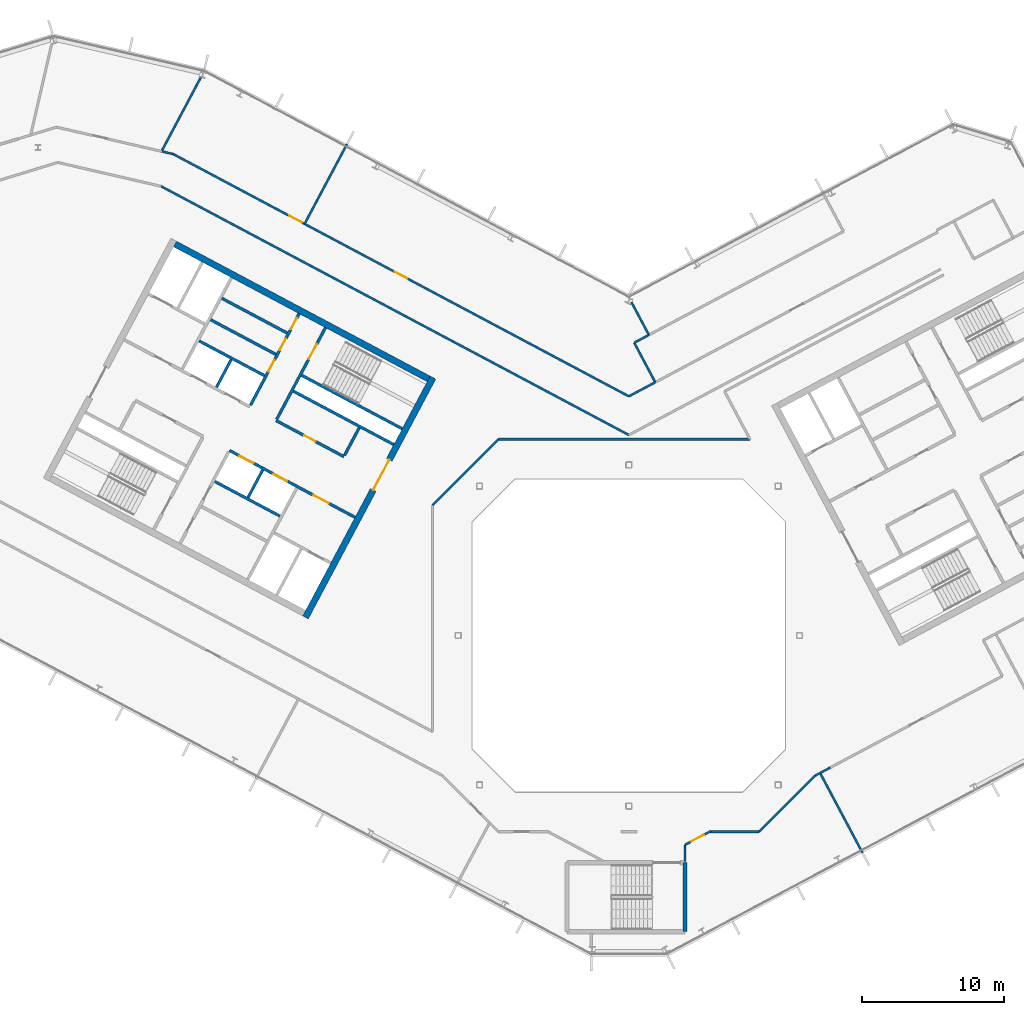
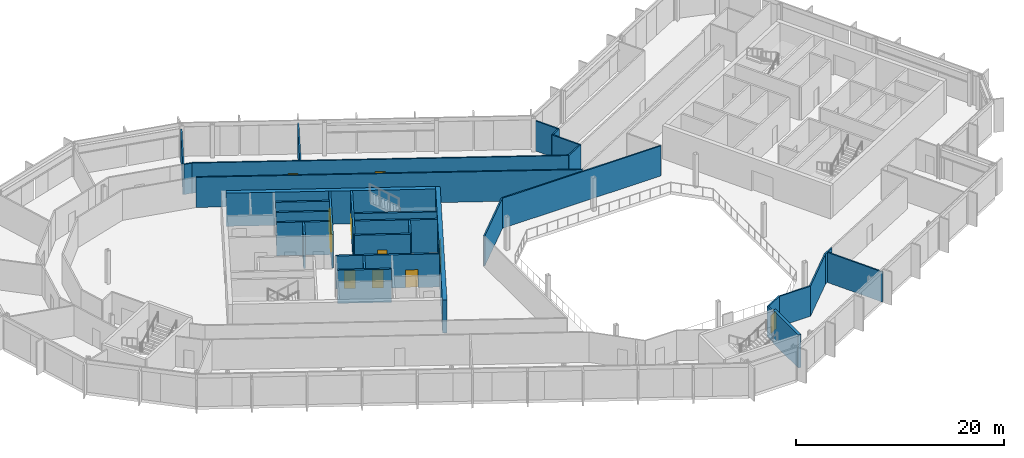
# One storey, part 14 of 25: 33 walls, 12 doors, 12 openings.
"""IFC4 building model written with IfcOpenShell, lengths in metres."""

import ifcopenshell
import ifcopenshell.guid

model = None  # the IFC model being written
_history = None  # IfcOwnerHistory: only IFC2X3 demands one
_inside = {}  # id of a spatial element -> (the spatial element, [elements in it])
_under = {}  # id of a project, library or spatial element -> (it, [spatial elements below it])
_declared = {}  # id of a project -> (the project, [libraries it declares])
_typed = {}  # id of a type object -> (the type object, [elements of that type])
_made_of = {}  # id of a material, layer set ... -> (it, [elements and type objects made of it])


def new_model(schema):
    """Start an empty IFC model of exactly this schema.

    Asked for "IFC4X3", IfcOpenShell would pick the latest addendum, in which some entities
    have other attributes; the version numbers below select the first issue.
    IFC2X3 requires an IfcOwnerHistory on every rooted entity: one is made here for all.
    """
    global model, _history
    if schema == "IFC4X3":
        model = ifcopenshell.file(schema_version=(4, 3, 0, 0))
    else:
        model = ifcopenshell.file(schema=schema)
    _inside.clear()
    _under.clear()
    _declared.clear()
    _typed.clear()
    _made_of.clear()
    _history = None
    if model.schema == "IFC2X3":
        org = make("IfcOrganization", Name="unknown")
        user = make(
            "IfcPersonAndOrganization",
            ThePerson=make("IfcPerson", FamilyName="unknown"),
            TheOrganization=org,
        )
        app = make(
            "IfcApplication",
            ApplicationDeveloper=org,
            Version="unknown",
            ApplicationFullName="unknown",
            ApplicationIdentifier="unknown",
        )
        _history = make(
            "IfcOwnerHistory",
            OwningUser=user,
            OwningApplication=app,
            ChangeAction="ADDED",
            CreationDate=0,
        )
    return model


def make(cls, **values):
    """One entity of the class cls with the attributes given. An attribute that is None is left unset."""
    return model.create_entity(
        cls, **{name: value for name, value in values.items() if value is not None}
    )


def rooted(cls, **values):
    """An entity with a GlobalId (a new one), such as an element, a storey or a relation."""
    return make(cls, GlobalId=ifcopenshell.guid.new(), OwnerHistory=_history, **values)


def si_unit(unit_type, name, prefix=None):
    """IfcSIUnit, for example si_unit("LENGTHUNIT", "METRE", prefix="MILLI")."""
    return make("IfcSIUnit", UnitType=unit_type, Prefix=prefix, Name=name)


def assignment(units):
    """IfcUnitAssignment: the units of a project."""
    return None if units is None else make("IfcUnitAssignment", Units=units)


def point(xyz):
    """IfcCartesianPoint."""
    return None if xyz is None else make("IfcCartesianPoint", Coordinates=xyz)


def direction(xyz):
    """IfcDirection."""
    return None if xyz is None else make("IfcDirection", DirectionRatios=xyz)


def frame(location, z_axis=None, x_axis=None):
    """IfcAxis2Placement3D, a coordinate frame: its origin and axes. An axis left out is left unset."""
    return make(
        "IfcAxis2Placement3D",
        Location=point(location),
        Axis=direction(z_axis),
        RefDirection=direction(x_axis),
    )


def frame_2d(location, x_axis=None):
    """IfcAxis2Placement2D, a coordinate frame in the plane: its origin and x axis."""
    return make(
        "IfcAxis2Placement2D", Location=point(location), RefDirection=direction(x_axis)
    )


def origin():
    """The frame at (0, 0, 0) with its axes left unset."""
    return frame((0.0, 0.0, 0.0))


def place(relative_to, where):
    """IfcLocalPlacement: puts the frame where relative to a parent placement (None: the world)."""
    return make(
        "IfcLocalPlacement", PlacementRelTo=relative_to, RelativePlacement=where
    )


def context(
    kind, dimensions, precision=None, world=None, true_north=None, identifier=None
):
    """IfcGeometricRepresentationContext, for example the 3D "Model" context."""
    return make(
        "IfcGeometricRepresentationContext",
        ContextIdentifier=identifier,
        ContextType=kind,
        CoordinateSpaceDimension=dimensions,
        Precision=precision,
        WorldCoordinateSystem=world,
        TrueNorth=true_north,
    )


def subcontext(parent, identifier, kind, view, scale=None):
    """IfcGeometricRepresentationSubContext, for example "Body" below "Model"."""
    return make(
        "IfcGeometricRepresentationSubContext",
        ContextIdentifier=identifier,
        ContextType=kind,
        ParentContext=parent,
        TargetScale=scale,
        TargetView=view,
    )


def project(units=None, contexts=None):
    """IfcProject with its units and contexts."""
    return rooted(
        "IfcProject",
        Name="project",
        RepresentationContexts=contexts,
        UnitsInContext=assignment(units),
    )


def spatial(cls, under=None, at=None, **own):
    """A site, building, storey or space (cls), placed at a placement, below another one or the project."""
    s = rooted(cls, ObjectPlacement=at, **own)
    if under is not None:
        _under.setdefault(under.id(), (under, []))[1].append(s)
    return s


def profile(cls, at=None, kind="AREA", **sizes):
    """A parametric profile (cls). Its sizes go by their IFC names, for example OverallWidth=200.0."""
    return make(cls, ProfileType=kind, Position=at, **sizes)


def rectangle(**sizes):
    """IfcRectangleProfileDef."""
    return profile("IfcRectangleProfileDef", **sizes)


def extrude(swept, where, along, depth):
    """IfcExtrudedAreaSolid: the profile swept, set in the frame where, extruded along a direction by depth."""
    return make(
        "IfcExtrudedAreaSolid",
        SweptArea=swept,
        Position=where,
        ExtrudedDirection=direction(along),
        Depth=depth,
    )


def shape(context_of_items, identifier, shape_type, items):
    """IfcShapeRepresentation: the items that make up one representation, for example the "Body"."""
    return make(
        "IfcShapeRepresentation",
        ContextOfItems=context_of_items,
        RepresentationIdentifier=identifier,
        RepresentationType=shape_type,
        Items=items,
    )


def material(Name=None, Category=None):
    """IfcMaterial."""
    return make("IfcMaterial", Name=Name, Category=Category)


def layer(
    of_material, thickness, ventilated=None, Name=None, Category=None, Priority=None
):
    """IfcMaterialLayer: one layer of a wall or slab, of a material (None: an air gap)."""
    return make(
        "IfcMaterialLayer",
        Material=of_material,
        LayerThickness=thickness,
        IsVentilated=ventilated,
        Name=Name,
        Category=Category,
        Priority=Priority,
    )


def layer_set(layers, Name=None):
    """IfcMaterialLayerSet."""
    return make("IfcMaterialLayerSet", MaterialLayers=layers, LayerSetName=Name)


def made_of(thing, what):
    """Note that an element or type object is made of a material, layer set ...; save() writes the relation."""
    if what is not None:
        _made_of.setdefault(what.id(), (what, []))[1].append(thing)
    return thing


def type_object(cls, material=None, **own):
    """A type object (cls), such as IfcWallType, which elements share."""
    return made_of(rooted(cls, **own), material)


def element(
    cls,
    number,
    at=None,
    inside=None,
    cuts=None,
    type_object=None,
    material=None,
    context=None,
    identifier="Body",
    shape_type=None,
    held_by="IfcProductDefinitionShape",
    body=None,
    shapes=None,
    **own,
):
    """One element of the class cls, such as IfcWall. Its Tag is "e" and its number.

    at: its placement. inside: the storey or other place that contains it. cuts: it is an
    opening in that element (IfcRelVoidsElement). A single representation is given by context,
    identifier, shape_type and body (its items); several are given by shapes. held_by: the class
    of the entity that holds the representations. save() writes the other relations.
    """
    e = rooted(cls, Tag="e%d" % number, ObjectPlacement=at, **own)
    if body is not None:
        shapes = [shape(context, identifier, shape_type, body)]
    if shapes is not None:
        e.Representation = make(held_by, Representations=shapes)
    if inside is not None:
        _inside.setdefault(inside.id(), (inside, []))[1].append(e)
    if cuts is not None:
        rooted(
            "IfcRelVoidsElement", RelatingBuildingElement=cuts, RelatedOpeningElement=e
        )
    if type_object is not None:
        _typed.setdefault(type_object.id(), (type_object, []))[1].append(e)
    return made_of(e, material)


def fill(opening, filler):
    """IfcRelFillsElement: the door or window that sits in an opening."""
    return rooted(
        "IfcRelFillsElement",
        RelatingOpeningElement=opening,
        RelatedBuildingElement=filler,
    )


def aggregate(whole, parts):
    """IfcRelAggregates: a whole, such as a stair, and the parts it consists of."""
    return rooted("IfcRelAggregates", RelatingObject=whole, RelatedObjects=parts)


def save(model, path):
    """Write the relations noted so far, then the file.

    IfcRelAggregates (storeys below a building ...), IfcRelContainedInSpatialStructure (elements
    in a storey), IfcRelDefinesByType, IfcRelAssociatesMaterial and IfcRelDeclares: one each for
    every whole, place, type object, material and project.
    """
    for whole, parts in _under.values():
        aggregate(whole, parts)
    for where, things in _inside.values():
        rooted(
            "IfcRelContainedInSpatialStructure",
            RelatedElements=things,
            RelatingStructure=where,
        )
    for kind, things in _typed.values():
        rooted("IfcRelDefinesByType", RelatedObjects=things, RelatingType=kind)
    for what, things in _made_of.values():
        rooted("IfcRelAssociatesMaterial", RelatedObjects=things, RelatingMaterial=what)
    for by, libraries in _declared.values():
        rooted("IfcRelDeclares", RelatingContext=by, RelatedDefinitions=libraries)
    model.write(path)


model = new_model("IFC4")

# Units and contexts
model_context = context("Model", 3, precision=1e-05, world=origin(), true_north=direction((0.0, 1.0)))
body_context = subcontext(model_context, "Body", "Model", "MODEL_VIEW")
ifc_project = project(units=[si_unit("LENGTHUNIT", "METRE"), si_unit("AREAUNIT", "SQUARE_METRE"), si_unit("VOLUMEUNIT", "CUBIC_METRE"), si_unit("PLANEANGLEUNIT", "RADIAN"), si_unit("MASSUNIT", "GRAM", prefix="KILO")], contexts=[model_context])

# Site, building, storey
site_placement = place(None, origin())
site = spatial("IfcSite", under=ifc_project, at=site_placement, CompositionType="ELEMENT")
building_placement = place(site_placement, origin())
building = spatial("IfcBuilding", under=site, at=building_placement, Name="Cormorant Relay Tower", CompositionType="ELEMENT")
storey_placement = place(building_placement, frame((0.0, 0.0, 289.199951171875)))
storey = spatial("IfcBuildingStorey", under=building, at=storey_placement, Name="L65", CompositionType="ELEMENT", Elevation=289.199951171875)

# Walls
ifc_material_1 = material(Name="Concrete 40 MPa", Category="concrete")
ifc_layer_1 = layer(ifc_material_1, 0.199951171875)
ifc_layer_set_1 = layer_set([ifc_layer_1], Name="Core internal wall 200")
wall_type_1 = type_object("IfcWallType", Name="Core internal wall 200", PredefinedType="SOLIDWALL", material=ifc_layer_set_1)
wall_1_placement = place(storey_placement, frame((-25.744140625, 11.64990234375, 0.0), z_axis=(0.0, 0.0, 1.0), x_axis=(-0.469487830541, -0.882938942948, 0.0)))
element("IfcWall", 1, at=wall_1_placement, inside=storey, type_object=wall_type_1, Name="L65 core A shaft and room wall", PredefinedType="SOLIDWALL", context=body_context, shape_type="SweptSolid", body=[
    extrude(rectangle(XDim=2.2001953125, YDim=0.199951171875, at=frame_2d((1.10009765625, 0.0))), origin(), (0.0, 0.0, 1.0), 3.900146484375),
])
wall_2_placement = place(storey_placement, frame((-27.9658203125, 19.39990234375, 0.0), z_axis=(0.0, 0.0, 1.0), x_axis=(-0.4694473164, -0.882960484464, 0.0)))
element("IfcWall", 2, at=wall_2_placement, inside=storey, type_object=wall_type_1, Name="L65 core A shaft and room wall", PredefinedType="SOLIDWALL", context=body_context, shape_type="SweptSolid", body=[
    extrude(rectangle(XDim=2.199951171875, YDim=0.199951171875, at=frame_2d((1.10009765625, 0.0))), origin(), (0.0, 0.0, 1.0), 3.900146484375),
])
for number, where, z_axis, x_axis, name in (
    (3, (-24.02685546875, 21.26953125, 0.0), (0.0, 0.0, 1.0), (-0.882934506056, 0.469496174655, 0.0), "L65 core A shaft and room wall"),
    (4, (-24.824951171875, 19.7685546875, 0.0), (0.0, 0.0, 1.0), (-0.882934506056, 0.469496174655, 0.0), "L65 core A shaft and room wall"),
):
    element("IfcWall", number, at=place(storey_placement, frame(where, z_axis=z_axis, x_axis=x_axis)), inside=storey, type_object=wall_type_1, Name=name, PredefinedType="SOLIDWALL", context=body_context, shape_type="SweptSolid", body=[
        extrude(rectangle(XDim=5.199951171875, YDim=0.199951171875, at=frame_2d((2.60009765625, 0.0))), origin(), (0.0, 0.0, 1.0), 3.900146484375),
    ])
ifc_material_2 = material(Name="Concrete 50 MPa", Category="concrete")
ifc_layer_2 = layer(ifc_material_2, 0.199951171875)
ifc_layer_set_2 = layer_set([ifc_layer_2], Name="Core shaft wall 200")
wall_type_2 = type_object("IfcWallType", Name="Core shaft wall 200", PredefinedType="SHEAR", material=ifc_layer_set_2)
wall_3_placement = place(storey_placement, frame((-18.959716796875, 14.611328125, 0.0), z_axis=(0.0, 0.0, 1.0), x_axis=(-0.4694473164, -0.882960484464, 0.0)))
element("IfcWall", 5, at=wall_3_placement, inside=storey, type_object=wall_type_2, Name="L65 core A shaft wall", PredefinedType="SHEAR", context=body_context, shape_type="SweptSolid", body=[
    extrude(rectangle(XDim=2.199951171875, YDim=0.199951171875, at=frame_2d((1.10009765625, 0.0))), origin(), (0.0, 0.0, 1.0), 3.900146484375),
])

# Wall, opening, door
wall_4_placement = place(storey_placement, frame((-21.333251953125, 21.6494140625, 0.0), z_axis=(0.0, 0.0, 1.0), x_axis=(-0.469494272526, -0.882935517501, 0.0)))
wall_4 = element("IfcWall", 6, at=wall_4_placement, inside=storey, type_object=wall_type_2, Name="L65 core A shaft wall", PredefinedType="SHEAR", context=body_context, shape_type="SweptSolid", body=[
    extrude(rectangle(XDim=7.2998046875, YDim=0.199951171875, at=frame_2d((3.64990234375, 0.0))), origin(), (0.0, 0.0, 1.0), 3.900146484375),
])
opening_1_placement = place(wall_4_placement, frame((1.300048828125, 0.0, 0.0)))
opening_1 = element("IfcOpeningElement", 7, at=opening_1_placement, cuts=wall_4, Name="Opening CDB-038", PredefinedType="OPENING", context=body_context, shape_type="SweptSolid", body=[
    extrude(rectangle(XDim=1.199951171875, YDim=2.10009765625, at=frame_2d((0.60009765625, 1.050048828125))), frame((0.0, 0.10986328125, 0.0), z_axis=(0.0, -1.0, 0.0), x_axis=(1.0, 0.0, 0.0)), (0.0, 0.0, 1.0), 0.219970703125),
])
ifc_material_3 = material(Name="Steel fire door", Category="steel")
door_type_1 = type_object("IfcDoorType", Name="Core stair door 1200x2100", OperationType="SINGLE_SWING_LEFT", PredefinedType="DOOR", material=ifc_material_3)
door_1_placement = place(opening_1_placement, origin())
door_1 = element("IfcDoor", 8, at=door_1_placement, inside=storey, type_object=door_type_1, Name="Core stair door 1200x2100", OperationType="SINGLE_SWING_RIGHT", OverallHeight=2.10009765625, OverallWidth=1.199951171875, PredefinedType="DOOR", context=body_context, shape_type="SweptSolid", body=[
    extrude(rectangle(XDim=1.199951171875, YDim=2.10009765625, at=frame_2d((0.60009765625, 1.050048828125))), frame((0.0, 0.02490234375, 0.0), z_axis=(0.0, -1.0, 0.0), x_axis=(1.0, 0.0, 0.0)), (0.0, 0.0, 1.0), 0.050048828125),
])
fill(opening_1, door_1)

# Wall, openings, doors
wall_5_placement = place(storey_placement, frame((-23.1875, 22.635498046875, 0.0), z_axis=(0.0, 0.0, 1.0), x_axis=(-0.469454336211, -0.882956752176, 0.0)))
wall_5 = element("IfcWall", 9, at=wall_5_placement, inside=storey, type_object=wall_type_2, Name="L65 core A shaft wall", PredefinedType="SHEAR", context=body_context, shape_type="SweptSolid", body=[
    extrude(rectangle(XDim=7.300048828125, YDim=0.199951171875, at=frame_2d((3.64990234375, 0.0))), origin(), (0.0, 0.0, 1.0), 3.900146484375),
])
opening_2_placement = place(wall_5_placement, frame((0.35009765625, 0.0, 0.0)))
opening_2 = element("IfcOpeningElement", 10, at=opening_2_placement, cuts=wall_5, Name="Opening CDD-329", PredefinedType="OPENING", context=body_context, shape_type="SweptSolid", body=[
    extrude(rectangle(XDim=0.89990234375, YDim=2.10009765625, at=frame_2d((0.449951171875, 1.050048828125))), frame((0.0, 0.10986328125, 0.0), z_axis=(0.0, -1.0, 0.0), x_axis=(1.0, 0.0, 0.0)), (0.0, 0.0, 1.0), 0.219970703125),
])
opening_3_placement = place(wall_5_placement, frame((2.0, 0.0, 0.0)))
opening_3 = element("IfcOpeningElement", 11, at=opening_3_placement, cuts=wall_5, Name="Opening CDD-330", PredefinedType="OPENING", context=body_context, shape_type="SweptSolid", body=[
    extrude(rectangle(XDim=0.89990234375, YDim=2.10009765625, at=frame_2d((0.449951171875, 1.050048828125))), frame((0.0, 0.10986328125, 0.0), z_axis=(0.0, -1.0, 0.0), x_axis=(1.0, 0.0, 0.0)), (0.0, 0.0, 1.0), 0.219970703125),
])
opening_4_placement = place(wall_5_placement, frame((3.699951171875, 0.0, 0.0)))
opening_4 = element("IfcOpeningElement", 12, at=opening_4_placement, cuts=wall_5, Name="Opening CDD-331", PredefinedType="OPENING", context=body_context, shape_type="SweptSolid", body=[
    extrude(rectangle(XDim=0.89990234375, YDim=2.10009765625, at=frame_2d((0.449951171875, 1.050048828125))), frame((0.0, 0.10986328125, 0.0), z_axis=(0.0, -1.0, 0.0), x_axis=(1.0, 0.0, 0.0)), (0.0, 0.0, 1.0), 0.219970703125),
])
ifc_material_4 = material(Name="Steel fire door", Category="steel")
door_type_2 = type_object("IfcDoorType", Name="Core room door 900x2100", OperationType="SINGLE_SWING_LEFT", PredefinedType="DOOR", material=ifc_material_4)
door_2_placement = place(opening_2_placement, origin())
door_2 = element("IfcDoor", 13, at=door_2_placement, inside=storey, type_object=door_type_2, Name="Core room door 900x2100", OperationType="SINGLE_SWING_LEFT", OverallHeight=2.10009765625, OverallWidth=0.89990234375, PredefinedType="DOOR", context=body_context, shape_type="SweptSolid", body=[
    extrude(rectangle(XDim=0.89990234375, YDim=2.10009765625, at=frame_2d((0.449951171875, 1.050048828125))), frame((0.0, 0.02490234375, 0.0), z_axis=(0.0, -1.0, 0.0), x_axis=(1.0, 0.0, 0.0)), (0.0, 0.0, 1.0), 0.050048828125),
])
fill(opening_2, door_2)
door_3_placement = place(opening_3_placement, origin())
door_3 = element("IfcDoor", 14, at=door_3_placement, inside=storey, type_object=door_type_2, Name="Core room door 900x2100", OperationType="SINGLE_SWING_LEFT", OverallHeight=2.10009765625, OverallWidth=0.89990234375, PredefinedType="DOOR", context=body_context, shape_type="SweptSolid", body=[
    extrude(rectangle(XDim=0.89990234375, YDim=2.10009765625, at=frame_2d((0.449951171875, 1.050048828125))), frame((0.0, 0.02490234375, 0.0), z_axis=(0.0, -1.0, 0.0), x_axis=(1.0, 0.0, 0.0)), (0.0, 0.0, 1.0), 0.050048828125),
])
fill(opening_3, door_3)
door_4_placement = place(opening_4_placement, origin())
door_4 = element("IfcDoor", 15, at=door_4_placement, inside=storey, type_object=door_type_2, Name="Core room door 900x2100", OperationType="SINGLE_SWING_LEFT", OverallHeight=2.10009765625, OverallWidth=0.89990234375, PredefinedType="DOOR", context=body_context, shape_type="SweptSolid", body=[
    extrude(rectangle(XDim=0.89990234375, YDim=2.10009765625, at=frame_2d((0.449951171875, 1.050048828125))), frame((0.0, 0.02490234375, 0.0), z_axis=(0.0, -1.0, 0.0), x_axis=(1.0, 0.0, 0.0)), (0.0, 0.0, 1.0), 0.050048828125),
])
fill(opening_4, door_4)

# Walls
wall_6_placement = place(storey_placement, frame((-15.94189453125, 14.53564453125, 0.0), z_axis=(0.0, 0.0, 1.0), x_axis=(-0.882946947542, 0.469472776449, 0.0)))
element("IfcWall", 16, at=wall_6_placement, inside=storey, type_object=wall_type_2, Name="L65 core A shaft wall", PredefinedType="SHEAR", context=body_context, shape_type="SweptSolid", body=[
    extrude(rectangle(XDim=8.000244140625, YDim=0.199951171875, at=frame_2d((4.0, 0.0))), origin(), (0.0, 0.0, 1.0), 3.900146484375),
])
wall_7_placement = place(storey_placement, frame((-16.52880859375, 13.43212890625, 0.0), z_axis=(0.0, 0.0, 1.0), x_axis=(-0.88295287151, 0.469461634952, 0.0)))
element("IfcWall", 17, at=wall_7_placement, inside=storey, type_object=wall_type_2, Name="L65 core A shaft wall", PredefinedType="SHEAR", context=body_context, shape_type="SweptSolid", body=[
    extrude(rectangle(XDim=7.999755859375, YDim=0.199951171875, at=frame_2d((4.0, 0.0))), origin(), (0.0, 0.0, 1.0), 3.900146484375),
])
wall_8_placement = place(storey_placement, frame((-25.623046875, 18.267578125, 0.0), z_axis=(0.0, 0.0, 1.0), x_axis=(-0.882953967957, 0.469459572775, 0.0)))
element("IfcWall", 18, at=wall_8_placement, inside=storey, type_object=wall_type_2, Name="L65 core A shaft wall", PredefinedType="SHEAR", context=body_context, shape_type="SweptSolid", body=[
    extrude(rectangle(XDim=5.199951171875, YDim=0.199951171875, at=frame_2d((2.60009765625, 0.0))), origin(), (0.0, 0.0, 1.0), 3.900146484375),
])

# Wall, opening, door
wall_9_placement = place(storey_placement, frame((-20.03955078125, 12.58056640625, 0.0), z_axis=(0.0, 0.0, 1.0), x_axis=(-0.882942972946, 0.469480251476, 0.0)))
wall_9 = element("IfcWall", 19, at=wall_9_placement, inside=storey, type_object=wall_type_2, Name="L65 core A shaft wall", PredefinedType="SHEAR", context=body_context, shape_type="SweptSolid", body=[
    extrude(rectangle(XDim=5.39990234375, YDim=0.199951171875, at=frame_2d((2.699951171875, 0.0))), origin(), (0.0, 0.0, 1.0), 3.900146484375),
])
opening_5_placement = place(wall_9_placement, frame((2.25, 0.0, 0.0)))
opening_5 = element("IfcOpeningElement", 20, at=opening_5_placement, cuts=wall_9, Name="Opening CDD-319", PredefinedType="OPENING", context=body_context, shape_type="SweptSolid", body=[
    extrude(rectangle(XDim=0.89990234375, YDim=2.10009765625, at=frame_2d((0.449951171875, 1.050048828125))), frame((0.0, 0.10986328125, 0.0), z_axis=(0.0, -1.0, 0.0), x_axis=(1.0, 0.0, 0.0)), (0.0, 0.0, 1.0), 0.219970703125),
])
door_5_placement = place(opening_5_placement, origin())
door_5 = element("IfcDoor", 21, at=door_5_placement, inside=storey, type_object=door_type_2, Name="Core room door 900x2100", OperationType="SINGLE_SWING_LEFT", OverallHeight=2.10009765625, OverallWidth=0.89990234375, PredefinedType="DOOR", context=body_context, shape_type="SweptSolid", body=[
    extrude(rectangle(XDim=0.89990234375, YDim=2.10009765625, at=frame_2d((0.449951171875, 1.050048828125))), frame((0.0, 0.02490234375, 0.0), z_axis=(0.0, -1.0, 0.0), x_axis=(1.0, 0.0, 0.0)), (0.0, 0.0, 1.0), 0.050048828125),
])
fill(opening_5, door_5)

# Wall, openings, doors
wall_10_placement = place(storey_placement, frame((-19.251708984375, 8.31103515625, 0.0), z_axis=(0.0, 0.0, 1.0), x_axis=(-0.882955722218, 0.469456273365, 0.0)))
wall_10 = element("IfcWall", 22, at=wall_10_placement, inside=storey, type_object=wall_type_2, Name="L65 core A shaft wall", PredefinedType="SHEAR", context=body_context, shape_type="SweptSolid", body=[
    extrude(rectangle(XDim=10.0, YDim=0.199951171875, at=frame_2d((5.0, 0.0))), origin(), (0.0, 0.0, 1.0), 3.900146484375),
])
opening_6_placement = place(wall_10_placement, frame((2.10009765625, 0.0, 0.0)))
opening_6 = element("IfcOpeningElement", 23, at=opening_6_placement, cuts=wall_10, Name="Opening CDC-033", PredefinedType="OPENING", context=body_context, shape_type="SweptSolid", body=[
    extrude(rectangle(XDim=1.199951171875, YDim=2.10009765625, at=frame_2d((0.60009765625, 1.050048828125))), frame((0.0, 0.10986328125, 0.0), z_axis=(0.0, -1.0, 0.0), x_axis=(1.0, 0.0, 0.0)), (0.0, 0.0, 1.0), 0.219970703125),
])
opening_7_placement = place(wall_10_placement, frame((5.39990234375, 0.0, 0.0)))
opening_7 = element("IfcOpeningElement", 24, at=opening_7_placement, cuts=wall_10, Name="Opening LD1-065", PredefinedType="OPENING", context=body_context, shape_type="SweptSolid", body=[
    extrude(rectangle(XDim=1.10009765625, YDim=2.10009765625, at=frame_2d((0.550048828125, 1.050048828125))), frame((0.0, 0.10986328125, 0.0), z_axis=(0.0, -1.0, 0.0), x_axis=(1.0, 0.0, 0.0)), (0.0, 0.0, 1.0), 0.219970703125),
])
opening_8_placement = place(wall_10_placement, frame((8.10009765625, 0.0, 0.0)))
opening_8 = element("IfcOpeningElement", 25, at=opening_8_placement, cuts=wall_10, Name="Opening LD1-066", PredefinedType="OPENING", context=body_context, shape_type="SweptSolid", body=[
    extrude(rectangle(XDim=1.10009765625, YDim=2.10009765625, at=frame_2d((0.550048828125, 1.050048828125))), frame((0.0, 0.10986328125, 0.0), z_axis=(0.0, -1.0, 0.0), x_axis=(1.0, 0.0, 0.0)), (0.0, 0.0, 1.0), 0.219970703125),
])
ifc_material_5 = material(Name="Steel fire door", Category="steel")
door_type_3 = type_object("IfcDoorType", Name="Core lobby door 1200x2100", OperationType="SINGLE_SWING_LEFT", PredefinedType="DOOR", material=ifc_material_5)
door_6_placement = place(opening_6_placement, origin())
door_6 = element("IfcDoor", 26, at=door_6_placement, inside=storey, type_object=door_type_3, Name="Core lobby door 1200x2100", OperationType="SINGLE_SWING_RIGHT", OverallHeight=2.10009765625, OverallWidth=1.199951171875, PredefinedType="DOOR", context=body_context, shape_type="SweptSolid", body=[
    extrude(rectangle(XDim=1.199951171875, YDim=2.10009765625, at=frame_2d((0.60009765625, 1.050048828125))), frame((0.0, 0.02490234375, 0.0), z_axis=(0.0, -1.0, 0.0), x_axis=(1.0, 0.0, 0.0)), (0.0, 0.0, 1.0), 0.050048828125),
])
fill(opening_6, door_6)
ifc_material_6 = material(Name="Stainless steel 316", Category="steel")
door_type_4 = type_object("IfcDoorType", Name="Lift landing door 1100x2100", OperationType="DOUBLE_DOOR_SLIDING", PredefinedType="DOOR", material=ifc_material_6)
door_7_placement = place(opening_7_placement, origin())
door_7 = element("IfcDoor", 27, at=door_7_placement, inside=storey, type_object=door_type_4, Name="HR1 landing door", OperationType="DOUBLE_DOOR_SLIDING", OverallHeight=2.10009765625, OverallWidth=1.10009765625, PredefinedType="DOOR", context=body_context, shape_type="SweptSolid", body=[
    extrude(rectangle(XDim=1.10009765625, YDim=2.10009765625, at=frame_2d((0.550048828125, 1.050048828125))), frame((0.0, 0.02490234375, 0.0), z_axis=(0.0, -1.0, 0.0), x_axis=(1.0, 0.0, 0.0)), (0.0, 0.0, 1.0), 0.050048828125),
])
fill(opening_7, door_7)
door_8_placement = place(opening_8_placement, origin())
door_8 = element("IfcDoor", 28, at=door_8_placement, inside=storey, type_object=door_type_4, Name="HR2 landing door", OperationType="DOUBLE_DOOR_SLIDING", OverallHeight=2.10009765625, OverallWidth=1.10009765625, PredefinedType="DOOR", context=body_context, shape_type="SweptSolid", body=[
    extrude(rectangle(XDim=1.10009765625, YDim=2.10009765625, at=frame_2d((0.550048828125, 1.050048828125))), frame((0.0, 0.02490234375, 0.0), z_axis=(0.0, -1.0, 0.0), x_axis=(1.0, 0.0, 0.0)), (0.0, 0.0, 1.0), 0.050048828125),
])
fill(opening_8, door_8)

# Wall
wall_11_placement = place(storey_placement, frame((-24.5283203125, 8.3984375, 0.0), z_axis=(0.0, 0.0, 1.0), x_axis=(-0.882953967957, 0.469459572775, 0.0)))
element("IfcWall", 29, at=wall_11_placement, inside=storey, type_object=wall_type_2, Name="L65 core A shaft wall", PredefinedType="SHEAR", context=body_context, shape_type="SweptSolid", body=[
    extrude(rectangle(XDim=5.199951171875, YDim=0.199951171875, at=frame_2d((2.60009765625, 0.0))), origin(), (0.0, 0.0, 1.0), 3.900146484375),
])

# Wall, opening, door
ifc_material_7 = material(Name="Concrete 50 MPa", Category="concrete")
ifc_layer_3 = layer(ifc_material_7, 0.449951171875)
ifc_layer_set_3 = layer_set([ifc_layer_3], Name="Core wall 450")
wall_type_3 = type_object("IfcWallType", Name="Core wall 450", PredefinedType="SHEAR", material=ifc_layer_set_3)
wall_12_placement = place(storey_placement, frame((-13.771484375, 18.138427734375, 0.0), z_axis=(0.0, 0.0, 1.0), x_axis=(-0.469467968382, -0.882949504028, 0.0)))
wall_12 = element("IfcWall", 30, at=wall_12_placement, inside=storey, type_object=wall_type_3, Name="L65 core A wall", PredefinedType="SHEAR", context=body_context, shape_type="SweptSolid", body=[
    extrude(rectangle(XDim=19.099853515625, YDim=0.449951171875, at=frame_2d((9.5498046875, 0.0))), origin(), (0.0, 0.0, 1.0), 3.900146484375),
])
opening_9_placement = place(wall_12_placement, frame((6.550048828125, 0.0, 0.0)))
opening_9 = element("IfcOpeningElement", 31, at=opening_9_placement, cuts=wall_12, Name="Opening CDA-050", PredefinedType="OPENING", context=body_context, shape_type="SweptSolid", body=[
    extrude(rectangle(XDim=2.39990234375, YDim=2.39990234375, at=frame_2d((1.199951171875, 1.199951171875))), frame((0.0, 0.23486328125, 0.0), z_axis=(0.0, -1.0, 0.0), x_axis=(1.0, 0.0, 0.0)), (0.0, 0.0, 1.0), 0.469970703125),
])
ifc_material_8 = material(Name="Steel fire door", Category="steel")
door_type_5 = type_object("IfcDoorType", Name="Core lobby door 2400x2400", OperationType="DOUBLE_DOOR_SINGLE_SWING", PredefinedType="DOOR", material=ifc_material_8)
door_9_placement = place(opening_9_placement, origin())
door_9 = element("IfcDoor", 32, at=door_9_placement, inside=storey, type_object=door_type_5, Name="Core lobby door 2400x2400", OperationType="DOUBLE_DOOR_SINGLE_SWING", OverallHeight=2.39990234375, OverallWidth=2.39990234375, PredefinedType="DOOR", context=body_context, shape_type="SweptSolid", body=[
    extrude(rectangle(XDim=2.39990234375, YDim=2.39990234375, at=frame_2d((1.199951171875, 1.199951171875))), frame((0.0, 0.02490234375, 0.0), z_axis=(0.0, -1.0, 0.0), x_axis=(1.0, 0.0, 0.0)), (0.0, 0.0, 1.0), 0.050048828125),
])
fill(opening_9, door_9)

# Walls
wall_13_placement = place(storey_placement, frame((-14.07568359375, 18.04541015625, 0.0), z_axis=(0.0, 0.0, 1.0), x_axis=(-0.882947755831, 0.46947125628, 0.0)))
element("IfcWall", 33, at=wall_13_placement, inside=storey, type_object=wall_type_3, Name="L65 core A wall", PredefinedType="SHEAR", context=body_context, shape_type="SweptSolid", body=[
    extrude(rectangle(XDim=20.2001953125, YDim=0.449951171875, at=frame_2d((10.10009765625, 0.0))), origin(), (0.0, 0.0, 1.0), 3.900146484375),
])
ifc_material_9 = material(Name="Gypsum board fire partition")
ifc_layer_4 = layer(ifc_material_9, 0.14990234375)
ifc_layer_set_4 = layer_set([ifc_layer_4], Name="Corridor partition 150 EI 60")
wall_type_4 = type_object("IfcWallType", Name="Corridor partition 150 EI 60", PredefinedType="PARTITIONING", material=ifc_layer_set_4)
wall_14_placement = place(storey_placement, frame((-32.89404296875, 31.590087890625, 0.0), z_axis=(0.0, 0.0, 1.0), x_axis=(0.882948512555, -0.469469833085, 0.0)))
element("IfcWall", 34, at=wall_14_placement, inside=storey, type_object=wall_type_4, Name="wall/L65/part/023", PredefinedType="PARTITIONING", context=body_context, shape_type="SweptSolid", body=[
    extrude(rectangle(XDim=37.2548828125, YDim=0.14990234375, at=frame_2d((18.62744140625, 0.0))), origin(), (0.0, 0.0, 1.0), 3.5400390625),
])
wall_15_placement = place(storey_placement, frame((8.51806640625, 13.800048828125, 0.0), z_axis=(0.0, 0.0, 1.0), x_axis=(-1.0, 0.0, 0.0)))
element("IfcWall", 35, at=wall_15_placement, inside=storey, type_object=wall_type_4, Name="wall/L65/part/027", PredefinedType="PARTITIONING", context=body_context, shape_type="SweptSolid", body=[
    extrude(rectangle(XDim=17.677978515625, YDim=0.14990234375, at=frame_2d((8.8388671875, 0.0))), origin(), (0.0, 0.0, 1.0), 3.5400390625),
])
wall_16_placement = place(storey_placement, frame((-9.159912109375, 13.800048828125, 0.0), z_axis=(0.0, 0.0, 1.0), x_axis=(-0.707106781187, -0.707106781187, 0.0)))
element("IfcWall", 36, at=wall_16_placement, inside=storey, type_object=wall_type_4, Name="wall/L65/part/028", PredefinedType="PARTITIONING", context=body_context, shape_type="SweptSolid", body=[
    extrude(rectangle(XDim=6.562255859375, YDim=0.14990234375, at=frame_2d((3.28125, 0.0))), origin(), (0.0, 0.0, 1.0), 3.5400390625),
])
wall_17_placement = place(storey_placement, frame((-32.0458984375, 33.85791015625, 0.0), z_axis=(0.0, 0.0, 1.0), x_axis=(-0.97423893818, 0.225518272727, 0.0)))
element("IfcWall", 37, at=wall_17_placement, inside=storey, type_object=wall_type_4, Name="wall/L65/part/042", PredefinedType="PARTITIONING", context=body_context, shape_type="SweptSolid", body=[
    extrude(rectangle(XDim=0.81201171875, YDim=0.14990234375, at=frame_2d((0.406005859375, 0.0))), origin(), (0.0, 0.0, 1.0), 3.5400390625),
])

# Wall, openings, doors
wall_18_placement = place(storey_placement, frame((-32.0458984375, 33.85791015625, 0.0), z_axis=(0.0, 0.0, 1.0), x_axis=(0.882950883098, -0.469465374694, 0.0)))
wall_18 = element("IfcWall", 38, at=wall_18_placement, inside=storey, type_object=wall_type_4, Name="wall/L65/part/043", PredefinedType="PARTITIONING", context=body_context, shape_type="SweptSolid", body=[
    extrude(rectangle(XDim=36.294189453125, YDim=0.14990234375, at=frame_2d((18.14697265625, 0.0))), origin(), (0.0, 0.0, 1.0), 3.5400390625),
])
opening_10_placement = place(wall_18_placement, frame((17.64990234375, 0.0, 0.0)))
opening_10 = element("IfcOpeningElement", 39, at=opening_10_placement, cuts=wall_18, Name="Opening DS-221", PredefinedType="OPENING", context=body_context, shape_type="SweptSolid", body=[
    extrude(rectangle(XDim=1.0, YDim=2.10009765625, at=frame_2d((0.5, 1.050048828125))), frame((0.0, 0.0849609375, 0.0), z_axis=(0.0, -1.0, 0.0), x_axis=(1.0, 0.0, 0.0)), (0.0, 0.0, 1.0), 0.169921875),
])
opening_11_placement = place(wall_18_placement, frame((9.25, 0.0, 0.0)))
opening_11 = element("IfcOpeningElement", 40, at=opening_11_placement, cuts=wall_18, Name="Opening DS-222", PredefinedType="OPENING", context=body_context, shape_type="SweptSolid", body=[
    extrude(rectangle(XDim=1.0, YDim=2.10009765625, at=frame_2d((0.5, 1.050048828125))), frame((0.0, 0.0849609375, 0.0), z_axis=(0.0, -1.0, 0.0), x_axis=(1.0, 0.0, 0.0)), (0.0, 0.0, 1.0), 0.169921875),
])
ifc_material_10 = material(Name="Timber door leaf", Category="wood")
door_type_6 = type_object("IfcDoorType", Name="Suite door 1000x2100", OperationType="SINGLE_SWING_LEFT", PredefinedType="DOOR", material=ifc_material_10)
door_10_placement = place(opening_10_placement, origin())
door_10 = element("IfcDoor", 41, at=door_10_placement, inside=storey, type_object=door_type_6, Name="door/L65/006", OperationType="SINGLE_SWING_RIGHT", OverallHeight=2.10009765625, OverallWidth=1.0, PredefinedType="DOOR", context=body_context, shape_type="SweptSolid", body=[
    extrude(rectangle(XDim=1.0, YDim=2.10009765625, at=frame_2d((0.5, 1.050048828125))), frame((0.0, 0.02490234375, 0.0), z_axis=(0.0, -1.0, 0.0), x_axis=(1.0, 0.0, 0.0)), (0.0, 0.0, 1.0), 0.050048828125),
])
fill(opening_10, door_10)
door_11_placement = place(opening_11_placement, origin())
door_11 = element("IfcDoor", 42, at=door_11_placement, inside=storey, type_object=door_type_6, Name="door/L65/007", OperationType="SINGLE_SWING_RIGHT", OverallHeight=2.10009765625, OverallWidth=1.0, PredefinedType="DOOR", context=body_context, shape_type="SweptSolid", body=[
    extrude(rectangle(XDim=1.0, YDim=2.10009765625, at=frame_2d((0.5, 1.050048828125))), frame((0.0, 0.02490234375, 0.0), z_axis=(0.0, -1.0, 0.0), x_axis=(1.0, 0.0, 0.0)), (0.0, 0.0, 1.0), 0.050048828125),
])
fill(opening_11, door_11)

# Wall
wall_19_placement = place(storey_placement, frame((0.0, 16.819091796875, 0.0), z_axis=(0.0, 0.0, 1.0), x_axis=(0.882886662494, 0.4695861382, 0.0)))
element("IfcWall", 43, at=wall_19_placement, inside=storey, type_object=wall_type_4, Name="wall/L65/part/044", PredefinedType="PARTITIONING", context=body_context, shape_type="SweptSolid", body=[
    extrude(rectangle(XDim=2.1123046875, YDim=0.14990234375, at=frame_2d((1.05615234375, 0.0))), origin(), (0.0, 0.0, 1.0), 3.5400390625),
])

# Wall, opening, door
wall_20_placement = place(storey_placement, frame((5.756103515625, -13.758056640625, 0.0), z_axis=(0.0, 0.0, 1.0), x_axis=(-0.883026069627, -0.469323939683, 0.0)))
wall_20 = element("IfcWall", 44, at=wall_20_placement, inside=storey, type_object=wall_type_4, Name="wall/L65/part/057", PredefinedType="PARTITIONING", context=body_context, shape_type="SweptSolid", body=[
    extrude(rectangle(XDim=2.04541015625, YDim=0.14990234375, at=frame_2d((1.022705078125, 0.0))), origin(), (0.0, 0.0, 1.0), 3.5400390625),
])
opening_12_placement = place(wall_20_placement, frame((0.5400390625, 0.0, 0.0)))
opening_12 = element("IfcOpeningElement", 45, at=opening_12_placement, cuts=wall_20, Name="Opening DS-217", PredefinedType="OPENING", context=body_context, shape_type="SweptSolid", body=[
    extrude(rectangle(XDim=1.0, YDim=2.10009765625, at=frame_2d((0.5, 1.050048828125))), frame((0.0, 0.0849609375, 0.0), z_axis=(0.0, -1.0, 0.0), x_axis=(1.0, 0.0, 0.0)), (0.0, 0.0, 1.0), 0.169921875),
])
door_12_placement = place(opening_12_placement, origin())
door_12 = element("IfcDoor", 46, at=door_12_placement, inside=storey, type_object=door_type_6, Name="door/L65/002", OperationType="SINGLE_SWING_RIGHT", OverallHeight=2.10009765625, OverallWidth=1.0, PredefinedType="DOOR", context=body_context, shape_type="SweptSolid", body=[
    extrude(rectangle(XDim=1.0, YDim=2.10009765625, at=frame_2d((0.5, 1.050048828125))), frame((0.0, 0.02490234375, 0.0), z_axis=(0.0, -1.0, 0.0), x_axis=(1.0, 0.0, 0.0)), (0.0, 0.0, 1.0), 0.050048828125),
])
fill(opening_12, door_12)

# Walls
wall_21_placement = place(storey_placement, frame((3.949951171875, -14.718017578125, 0.0), z_axis=(0.0, 0.0, 1.0), x_axis=(0.0, -1.0, 0.0)))
element("IfcWall", 47, at=wall_21_placement, inside=storey, type_object=wall_type_4, Name="wall/L65/part/058", PredefinedType="PARTITIONING", context=body_context, shape_type="SweptSolid", body=[
    extrude(rectangle(XDim=1.156982421875, YDim=0.14990234375, at=frame_2d((0.57861328125, 0.0))), origin(), (0.0, 0.0, 1.0), 3.5400390625),
])
wall_22_placement = place(storey_placement, frame((13.114013671875, -9.845947265625, 0.0), z_axis=(0.0, 0.0, 1.0), x_axis=(-0.707106781187, -0.707106781187, 0.0)))
element("IfcWall", 48, at=wall_22_placement, inside=storey, type_object=wall_type_4, Name="wall/L65/part/059", PredefinedType="PARTITIONING", context=body_context, shape_type="SweptSolid", body=[
    extrude(rectangle(XDim=5.592041015625, YDim=0.14990234375, at=frame_2d((2.7958984375, 0.0))), origin(), (0.0, 0.0, 1.0), 3.5400390625),
])
wall_23_placement = place(storey_placement, frame((9.159912109375, -13.800048828125, 0.0), z_axis=(0.0, 0.0, 1.0), x_axis=(-1.0, 0.0, 0.0)))
element("IfcWall", 49, at=wall_23_placement, inside=storey, type_object=wall_type_4, Name="wall/L65/part/060", PredefinedType="PARTITIONING", context=body_context, shape_type="SweptSolid", body=[
    extrude(rectangle(XDim=3.447998046875, YDim=0.14990234375, at=frame_2d((1.72412109375, 0.0))), origin(), (0.0, 0.0, 1.0), 3.5400390625),
])
wall_24_placement = place(storey_placement, frame((14.1708984375, -9.283935546875, 0.0), z_axis=(0.0, 0.0, 1.0), x_axis=(-0.88292815798, -0.469508112652, 0.0)))
element("IfcWall", 50, at=wall_24_placement, inside=storey, type_object=wall_type_4, Name="wall/L65/part/062", PredefinedType="PARTITIONING", context=body_context, shape_type="SweptSolid", body=[
    extrude(rectangle(XDim=1.197021484375, YDim=0.14990234375, at=frame_2d((0.5986328125, 0.0))), origin(), (0.0, 0.0, 1.0), 3.5400390625),
])
ifc_material_11 = material(Name="Concrete 50 MPa", Category="concrete")
ifc_layer_5 = layer(ifc_material_11, 0.300048828125)
ifc_layer_set_5 = layer_set([ifc_layer_5], Name="Remote stair wall 300")
wall_type_5 = type_object("IfcWallType", Name="Remote stair wall 300", PredefinedType="SHEAR", material=ifc_layer_set_5)
wall_25_placement = place(storey_placement, frame((3.949951171875, -15.97509765625, 0.0), z_axis=(0.0, 0.0, 1.0), x_axis=(0.0, -1.0, 0.0)))
element("IfcWall", 51, at=wall_25_placement, inside=storey, type_object=wall_type_5, Name="L65 exit stair RK1 wall", PredefinedType="SHEAR", context=body_context, shape_type="SweptSolid", body=[
    extrude(rectangle(XDim=4.849853515625, YDim=0.300048828125, at=frame_2d((2.4248046875, 0.0))), origin(), (0.0, 0.0, 1.0), 3.900146484375),
])
ifc_material_12 = material(Name="Gypsum board partition")
ifc_layer_6 = layer(ifc_material_12, 0.14990234375)
ifc_layer_set_6 = layer_set([ifc_layer_6], Name="Tenant partition 150")
wall_type_6 = type_object("IfcWallType", Name="Tenant partition 150", PredefinedType="PARTITIONING", material=ifc_layer_set_6)
wall_26_placement = place(storey_placement, frame((-30.097900390625, 39.2470703125, 0.0), z_axis=(0.0, 0.0, 1.0), x_axis=(-0.469421875668, -0.882974010175, 0.0)))
element("IfcWall", 52, at=wall_26_placement, inside=storey, type_object=wall_type_6, Name="wall/L65/part/041", PredefinedType="PARTITIONING", context=body_context, shape_type="SweptSolid", body=[
    extrude(rectangle(XDim=5.890625, YDim=0.14990234375, at=frame_2d((2.9453125, 0.0))), origin(), (0.0, 0.0, 1.0), 3.5400390625),
])
wall_27_placement = place(storey_placement, frame((-19.822021484375, 34.550048828125, 0.0), z_axis=(0.0, 0.0, 1.0), x_axis=(-0.469434431685, -0.882967334814, 0.0)))
element("IfcWall", 53, at=wall_27_placement, inside=storey, type_object=wall_type_6, Name="wall/L65/part/045", PredefinedType="PARTITIONING", context=body_context, shape_type="SweptSolid", body=[
    extrude(rectangle(XDim=6.35009765625, YDim=0.14990234375, at=frame_2d((3.175048828125, 0.0))), origin(), (0.0, 0.0, 1.0), 3.5400390625),
])
wall_28_placement = place(storey_placement, frame((0.37890625, 20.5869140625, 0.0), z_axis=(0.0, 0.0, 1.0), x_axis=(0.469549985402, -0.882905890347, 0.0)))
element("IfcWall", 54, at=wall_28_placement, inside=storey, type_object=wall_type_6, Name="wall/L65/part/047", PredefinedType="PARTITIONING", context=body_context, shape_type="SweptSolid", body=[
    extrude(rectangle(XDim=3.14990234375, YDim=0.14990234375, at=frame_2d((1.574951171875, 0.0))), origin(), (0.0, 0.0, 1.0), 3.5400390625),
])
wall_29_placement = place(storey_placement, frame((0.177978515625, 23.449951171875, 0.0), z_axis=(0.0, 0.0, 1.0), x_axis=(0.469495603372, -0.882934809833, 0.0)))
element("IfcWall", 55, at=wall_29_placement, inside=storey, type_object=wall_type_6, Name="wall/L65/part/052", PredefinedType="PARTITIONING", context=body_context, shape_type="SweptSolid", body=[
    extrude(rectangle(XDim=2.621826171875, YDim=0.14990234375, at=frame_2d((1.31103515625, 0.0))), origin(), (0.0, 0.0, 1.0), 3.5400390625),
])
wall_30_placement = place(storey_placement, frame((1.406005859375, 21.134033203125, 0.0), z_axis=(0.0, 0.0, 1.0), x_axis=(-0.882590930183, -0.470141733905, 0.0)))
element("IfcWall", 56, at=wall_30_placement, inside=storey, type_object=wall_type_6, Name="wall/L65/part/053", PredefinedType="PARTITIONING", context=body_context, shape_type="SweptSolid", body=[
    extrude(rectangle(XDim=1.163818359375, YDim=0.14990234375, at=frame_2d((0.58203125, 0.0))), origin(), (0.0, 0.0, 1.0), 3.5400390625),
])
wall_31_placement = place(storey_placement, frame((13.447021484375, -9.6689453125, 0.0), z_axis=(0.0, 0.0, 1.0), x_axis=(0.4696180742, -0.882869675764, 0.0)))
element("IfcWall", 57, at=wall_31_placement, inside=storey, type_object=wall_type_6, Name="wall/L65/part/061", PredefinedType="PARTITIONING", context=body_context, shape_type="SweptSolid", body=[
    extrude(rectangle(XDim=6.349609375, YDim=0.14990234375, at=frame_2d((3.1748046875, 0.0))), origin(), (0.0, 0.0, 1.0), 3.5400390625),
])

save(model, "model.ifc")
